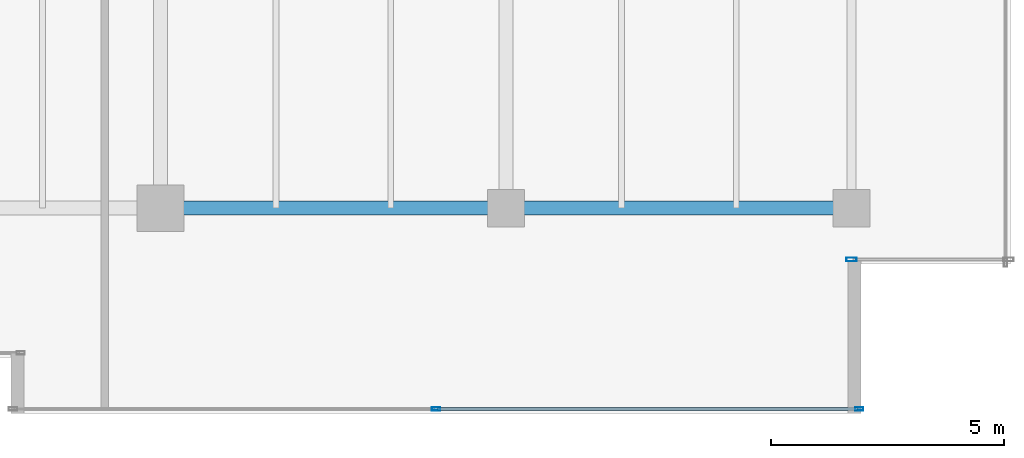
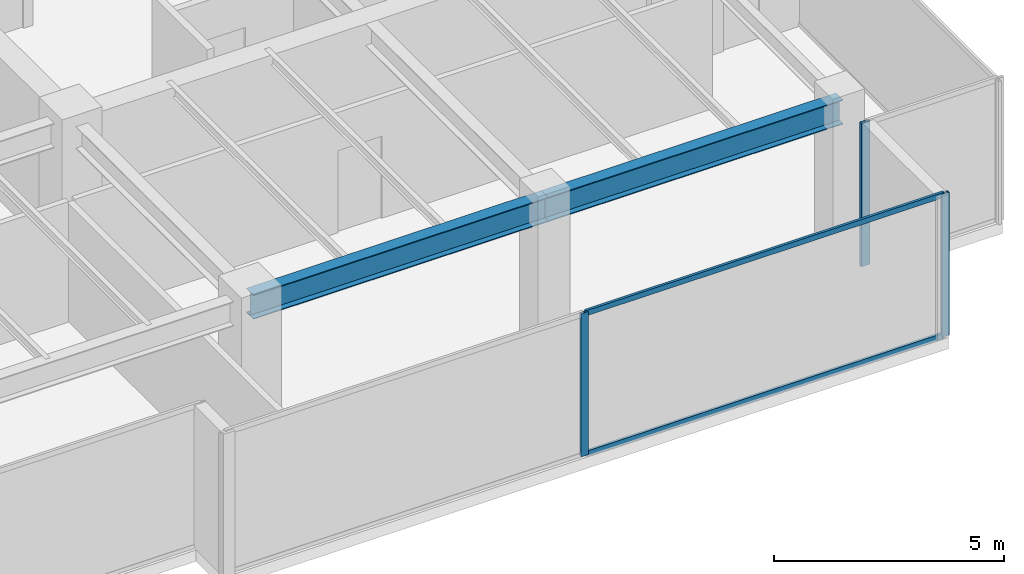
# One storey, part 13 of 33: 5 members, 2 beams, 2 elements without a shape of their own.
"""IFC4 building model written with IfcOpenShell, lengths in metres."""

from ifc_helpers import new_model, si_unit, direction, frame, origin, origin_2d, place, context, subcontext, project, spatial, hollow_rectangle, i_section, extrude, source, transform, mapped, material, layer, layer_set, material_profile, profile_set, type_object, type_shapes, element, aggregate, save


model = new_model("IFC4")

# Units and contexts
model_context = context("Model", 3, precision=1e-05, world=origin(), true_north=direction((0.0, 1.0)))
body_context = subcontext(model_context, "Body", "Model", "MODEL_VIEW")
ifc_project = project(units=[si_unit("LENGTHUNIT", "METRE"), si_unit("AREAUNIT", "SQUARE_METRE"), si_unit("VOLUMEUNIT", "CUBIC_METRE"), si_unit("PLANEANGLEUNIT", "RADIAN"), si_unit("MASSUNIT", "GRAM", prefix="KILO")], contexts=[model_context])

# Site, building, storey
site_placement = place(None, origin())
site = spatial("IfcSite", under=ifc_project, at=site_placement, CompositionType="ELEMENT")
building_placement = place(site_placement, origin())
building = spatial("IfcBuilding", under=site, at=building_placement, Name="Haelvirn Gate Laboratories", CompositionType="ELEMENT")
storey_placement = place(building_placement, frame((0.0, 0.0, 275.199951171875)))
storey = spatial("IfcBuildingStorey", under=building, at=storey_placement, Name="L66", CompositionType="ELEMENT", Elevation=275.199951171875)

# Beams
ifc_material_1 = material(Name="Steel SM355", Category="steel")
ifc_material_profile_1 = material_profile(ifc_material_1, i_section(OverallWidth=0.300048828125, OverallDepth=0.64990234375, WebThickness=0.012939453125, FlangeThickness=0.02197265625, at=origin_2d()), Name="H-650x300x13x22")
ifc_profile_set_1 = profile_set([ifc_material_profile_1], Name="Steel SM355")
beam_type = type_object("IfcBeamType", Name="BM-G-650", PredefinedType="BEAM", material=ifc_profile_set_1)
shared_shape_1 = source(origin(), body_context, "Body", "SweptSolid", [
    extrude(i_section(OverallWidth=0.300048828125, OverallDepth=0.64990234375, WebThickness=0.012939453125, FlangeThickness=0.02197265625, at=origin_2d()), origin(), (0.0, 0.0, 1.0), 7.39990234375),
])
type_shapes(beam_type, [shared_shape_1])
for number, where, z_axis, x_axis, name in (
    (1, (52.60009765625, 7.0, 3.47509765625), (1.0, 0.0, 0.0), (0.0, 1.0, 0.0), "L66 Primary Girder Y7.0 (52.6-60.0)"),
    (2, (60.0, 7.0, 3.47509765625), (1.0, 0.0, 0.0), (0.0, 1.0, 0.0), "L66 Primary Girder Y7.0 (60.0-67.4)"),
):
    element("IfcBeam", number, at=place(storey_placement, frame(where, z_axis=z_axis, x_axis=x_axis)), inside=storey, type_object=beam_type, Name=name, PredefinedType="BEAM", context=body_context, shape_type="MappedRepresentation", body=[
        mapped(shared_shape_1, transform((0.0, 0.0, 0.0), scale=1.0)),
    ])

# Curtain wall, members
ifc_material_2 = material(Name="Anodised bronze unitised aluminium & triple low-E glass", Category="aluminium")
ifc_layer_1 = layer(ifc_material_2, 0.176025390625, Name="CW-SYS-4")
ifc_layer_set_1 = layer_set([ifc_layer_1], Name="Anodised bronze unitised aluminium & triple low-E glass")
curtain_wall_type_1 = type_object("IfcCurtainWallType", Name="CW-SYS-4", PredefinedType="NOTDEFINED", material=ifc_layer_set_1)
curtain_wall_1_placement = place(storey_placement, origin())
curtain_wall_1 = element("IfcCurtainWall", 3, at=curtain_wall_1_placement, inside=storey, type_object=curtain_wall_type_1, Name="L66 Unitised Curtain Wall CW-L66-P0-E04-1", PredefinedType="NOTDEFINED")
ifc_material_3 = material(Name="Extruded aluminium 6063-T6 (anodised bronze)", Category="aluminium")
ifc_material_profile_2 = material_profile(ifc_material_3, hollow_rectangle(XDim=0.06494140625, YDim=0.139892578125, WallThickness=0.00390625, at=origin_2d()), Name="CWT-140x65x4")
ifc_profile_set_2 = profile_set([ifc_material_profile_2], Name="Extruded aluminium 6063-T6 (anodised bronze)")
member_type_1 = type_object("IfcMemberType", Name="CWT-T140", PredefinedType="USERDEFINED", material=ifc_profile_set_2)
shared_shape_2 = source(origin(), body_context, "Body", "SweptSolid", [
    extrude(hollow_rectangle(XDim=0.06494140625, YDim=0.139892578125, WallThickness=0.00390625, at=origin_2d()), origin(), (0.0, 0.0, 1.0), 8.9951171875),
])
type_shapes(member_type_1, [shared_shape_2])
member_1_placement = place(storey_placement, frame((58.534912109375, 2.699951171875, 0.032470703125), z_axis=(1.0, 0.0, 0.0), x_axis=(0.0, 1.0, 0.0)))
member_1 = element("IfcMember", 4, at=member_1_placement, type_object=member_type_1, Name="CW4 transom 2.1", ObjectType="TRANSOM", PredefinedType="USERDEFINED", context=body_context, shape_type="MappedRepresentation", body=[
    mapped(shared_shape_2, transform((0.0, 0.0, 0.0), scale=1.0)),
])
member_2_placement = place(storey_placement, frame((58.534912109375, 2.699951171875, 3.767578125), z_axis=(1.0, 0.0, 0.0), x_axis=(0.0, 1.0, 0.0)))
member_2 = element("IfcMember", 5, at=member_2_placement, type_object=member_type_1, Name="CW4 transom 2.2", ObjectType="TRANSOM", PredefinedType="USERDEFINED", context=body_context, shape_type="MappedRepresentation", body=[
    mapped(shared_shape_2, transform((0.0, 0.0, 0.0), scale=1.0)),
])
ifc_material_profile_3 = material_profile(ifc_material_3, hollow_rectangle(XDim=0.070068359375, YDim=0.179931640625, WallThickness=0.0048828125, at=origin_2d()), Name="CWM-180x70x5")
ifc_profile_set_3 = profile_set([ifc_material_profile_3], Name="Extruded aluminium 6063-T6 (anodised bronze)")
member_type_2 = type_object("IfcMemberType", Name="CWM-T180", PredefinedType="MULLION", material=ifc_profile_set_3)
shared_shape_3 = source(origin(), body_context, "Body", "SweptSolid", [
    extrude(hollow_rectangle(XDim=0.070068359375, YDim=0.179931640625, WallThickness=0.0048828125, at=origin_2d()), origin(), (0.0, 0.0, 1.0), 3.800048828125),
])
type_shapes(member_type_2, [shared_shape_3])
member_3_placement = place(storey_placement, frame((58.5, 2.699951171875, 0.0), z_axis=(0.0, 0.0, 1.0), x_axis=(0.0, 1.0, 0.0)))
member_3 = element("IfcMember", 6, at=member_3_placement, type_object=member_type_2, Name="CW4 mullion 2", PredefinedType="MULLION", context=body_context, shape_type="MappedRepresentation", body=[
    mapped(shared_shape_3, transform((0.0, 0.0, 0.0), scale=1.0)),
])
member_4_placement = place(storey_placement, frame((67.56494140625, 2.699951171875, 0.0), z_axis=(0.0, 0.0, 1.0), x_axis=(0.0, 1.0, 0.0)))
member_4 = element("IfcMember", 7, at=member_4_placement, type_object=member_type_2, Name="CW4 mullion 3", PredefinedType="MULLION", context=body_context, shape_type="MappedRepresentation", body=[
    mapped(shared_shape_3, transform((0.0, 0.0, 0.0), scale=1.0)),
])
aggregate(curtain_wall_1, [member_3, member_4, member_1, member_2])

# Curtain wall, member
ifc_layer_2 = layer(ifc_material_2, 0.181884765625, Name="CW-SYS-5")
ifc_layer_set_2 = layer_set([ifc_layer_2], Name="Anodised bronze unitised aluminium & triple low-E glass")
curtain_wall_type_2 = type_object("IfcCurtainWallType", Name="CW-SYS-5", PredefinedType="NOTDEFINED", material=ifc_layer_set_2)
curtain_wall_2_placement = place(storey_placement, origin())
curtain_wall_2 = element("IfcCurtainWall", 8, at=curtain_wall_2_placement, inside=storey, type_object=curtain_wall_type_2, Name="L66 Unitised Curtain Wall CW-L66-P0-E06-1", PredefinedType="NOTDEFINED")
ifc_material_profile_4 = material_profile(ifc_material_3, hollow_rectangle(XDim=0.080078125, YDim=0.219970703125, WallThickness=0.006103515625, at=origin_2d()), Name="CWM-220x80x6")
ifc_profile_set_4 = profile_set([ifc_material_profile_4], Name="Extruded aluminium 6063-T6 (anodised bronze)")
member_type_3 = type_object("IfcMemberType", Name="CWM-T220", PredefinedType="MULLION", material=ifc_profile_set_4)
shared_shape_4 = source(origin(), body_context, "Body", "SweptSolid", [
    extrude(hollow_rectangle(XDim=0.080078125, YDim=0.219970703125, WallThickness=0.006103515625, at=origin_2d()), origin(), (0.0, 0.0, 1.0), 3.800048828125),
])
type_shapes(member_type_3, [shared_shape_4])
member_5_placement = place(storey_placement, frame((67.39990234375, 5.89990234375, 0.0), z_axis=(0.0, 0.0, 1.0), x_axis=(0.0, 1.0, 0.0)))
member_5 = element("IfcMember", 9, at=member_5_placement, type_object=member_type_3, Name="CW5 mullion 1", PredefinedType="MULLION", context=body_context, shape_type="MappedRepresentation", body=[
    mapped(shared_shape_4, transform((0.0, 0.0, 0.0), scale=1.0)),
])
aggregate(curtain_wall_2, [member_5])

save(model, "model.ifc")
